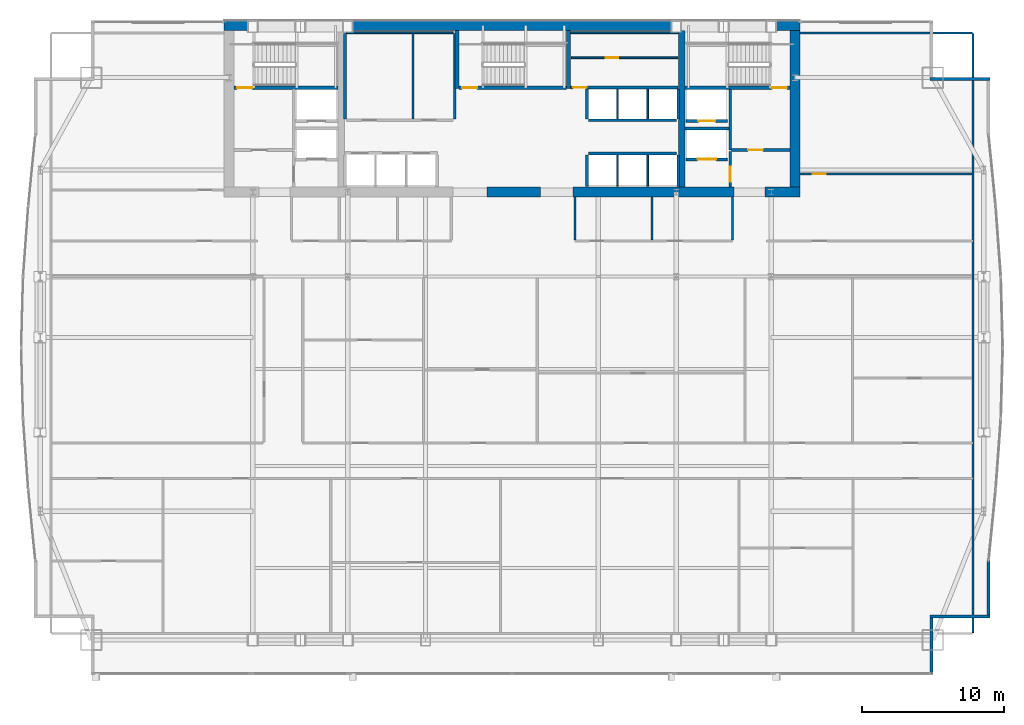
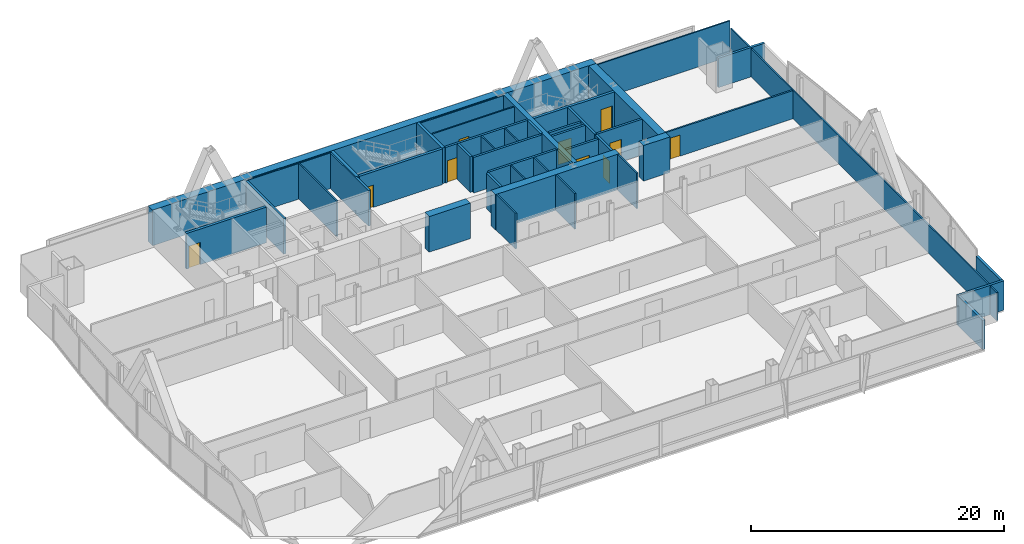
# One storey, part 28 of 31: 44 walls, 10 doors, 10 openings.
"""IFC4 building model written with IfcOpenShell, lengths in metres."""

from ifc_helpers import new_model, si_unit, direction, frame, frame_2d, origin, place, context, subcontext, project, spatial, rectangle, extrude, material, layer, layer_set, type_object, element, fill, save


model = new_model("IFC4")

# Units and contexts
model_context = context("Model", 3, precision=1e-05, world=origin(), true_north=direction((0.0, 1.0)))
body_context = subcontext(model_context, "Body", "Model", "MODEL_VIEW")
ifc_project = project(units=[si_unit("LENGTHUNIT", "METRE"), si_unit("AREAUNIT", "SQUARE_METRE"), si_unit("VOLUMEUNIT", "CUBIC_METRE"), si_unit("PLANEANGLEUNIT", "RADIAN"), si_unit("MASSUNIT", "GRAM", prefix="KILO")], contexts=[model_context])

# Site, building, storey
site_placement = place(None, origin())
site = spatial("IfcSite", under=ifc_project, at=site_placement, CompositionType="ELEMENT")
building_placement = place(site_placement, origin())
building = spatial("IfcBuilding", under=site, at=building_placement, Name="Khoronbel Lancet Exchange", CompositionType="ELEMENT")
storey_placement = place(building_placement, frame((0.0, 0.0, 129.0)))
storey = spatial("IfcBuildingStorey", under=building, at=storey_placement, Name="L31", CompositionType="ELEMENT", Elevation=129.0)

# Walls
ifc_material_1 = material(Name="Concrete C80/95", Category="concrete")
ifc_layer_1 = layer(ifc_material_1, 0.699951171875, Name="Concrete C80/95")
ifc_layer_set_1 = layer_set([ifc_layer_1], Name="Concrete C80/95")
wall_type_1 = type_object("IfcWallType", Name="WL-CW2", PredefinedType="SHEAR", material=ifc_layer_set_1)
wall_1_placement = place(storey_placement, frame((16.199951171875, 53.35009765625, 0.0), z_axis=(0.0, 0.0, 1.0), x_axis=(1.0, 0.0, 0.0)))
element("IfcWall", 1, at=wall_1_placement, inside=storey, type_object=wall_type_1, Name="Level L31 rear core north shear wall", PredefinedType="SHEAR", context=body_context, shape_type="SweptSolid", body=[
    extrude(rectangle(XDim=40.5, YDim=0.699951171875, at=frame_2d((20.25, 0.0))), origin(), (0.0, 0.0, 1.0), 3.43994140625),
])
wall_2_placement = place(storey_placement, frame((56.35009765625, 53.0, 0.0), z_axis=(0.0, 0.0, 1.0), x_axis=(0.0, -1.0, 0.0)))
element("IfcWall", 2, at=wall_2_placement, inside=storey, type_object=wall_type_1, Name="Level L31 rear core east shear wall", PredefinedType="SHEAR", context=body_context, shape_type="SweptSolid", body=[
    extrude(rectangle(XDim=11.0, YDim=0.699951171875, at=frame_2d((5.5, 0.0))), origin(), (0.0, 0.0, 1.0), 3.43994140625),
])
wall_3_placement = place(storey_placement, frame((38.449951171875, 41.64990234375, 0.0), z_axis=(0.0, 0.0, 1.0), x_axis=(-1.0, 0.0, 0.0)))
element("IfcWall", 3, at=wall_3_placement, inside=storey, type_object=wall_type_1, Name="Level L31 rear core south shear wall pier P3", PredefinedType="SHEAR", context=body_context, shape_type="SweptSolid", body=[
    extrude(rectangle(XDim=3.75, YDim=0.699951171875, at=frame_2d((1.875, 0.0))), origin(), (0.0, 0.0, 1.0), 3.43994140625),
])
wall_4_placement = place(storey_placement, frame((52.050048828125, 41.64990234375, 0.0), z_axis=(0.0, 0.0, 1.0), x_axis=(-1.0, 0.0, 0.0)))
element("IfcWall", 4, at=wall_4_placement, inside=storey, type_object=wall_type_1, Name="Level L31 rear core south shear wall pier P4", PredefinedType="SHEAR", context=body_context, shape_type="SweptSolid", body=[
    extrude(rectangle(XDim=11.300048828125, YDim=0.699951171875, at=frame_2d((5.64990234375, 0.0))), origin(), (0.0, 0.0, 1.0), 3.43994140625),
])
wall_5_placement = place(storey_placement, frame((56.699951171875, 41.64990234375, 0.0), z_axis=(0.0, 0.0, 1.0), x_axis=(-1.0, 0.0, 0.0)))
element("IfcWall", 5, at=wall_5_placement, inside=storey, type_object=wall_type_1, Name="Level L31 rear core south shear wall pier P5", PredefinedType="SHEAR", context=body_context, shape_type="SweptSolid", body=[
    extrude(rectangle(XDim=2.449951171875, YDim=0.699951171875, at=frame_2d((1.22509765625, 0.0))), origin(), (0.0, 0.0, 1.0), 3.43994140625),
])
ifc_material_2 = material(Name="Precast concrete C40/50", Category="concrete")
ifc_layer_2 = layer(ifc_material_2, 0.25, Name="Precast concrete C40/50")
ifc_layer_set_2 = layer_set([ifc_layer_2], Name="Precast concrete C40/50")
wall_type_2 = type_object("IfcWallType", Name="WL-EXT250", PredefinedType="SOLIDWALL", material=ifc_layer_set_2)
wall_6_placement = place(storey_placement, frame((65.85009765625, 49.610107421875, 0.0), z_axis=(0.0, 0.0, 1.0), x_axis=(1.0, 0.0, 0.0)))
element("IfcWall", 6, at=wall_6_placement, inside=storey, type_object=wall_type_2, Name="Level L31 notched-corner limestone pier 15", PredefinedType="SOLIDWALL", context=body_context, shape_type="SweptSolid", body=[
    extrude(rectangle(XDim=4.219970703125, YDim=0.219970703125, at=frame_2d((2.10986328125, 0.0))), origin(), (0.0, 0.0, 1.0), 2.830078125),
])
wall_7_placement = place(storey_placement, frame((69.9599609375, 15.724609375, 0.0), z_axis=(0.0, 0.0, 1.0), x_axis=(0.0, -1.0, 0.0)))
element("IfcWall", 7, at=wall_7_placement, inside=storey, type_object=wall_type_2, Name="Level L31 notched-corner limestone pier 23", PredefinedType="SOLIDWALL", context=body_context, shape_type="SweptSolid", body=[
    extrude(rectangle(XDim=3.82470703125, YDim=0.219970703125, at=frame_2d((1.912353515625, 0.0))), origin(), (0.0, 0.0, 1.0), 2.830078125),
])
wall_8_placement = place(storey_placement, frame((70.070068359375, 11.7900390625, 0.0), z_axis=(0.0, 0.0, 1.0), x_axis=(-1.0, 0.0, 0.0)))
element("IfcWall", 8, at=wall_8_placement, inside=storey, type_object=wall_type_2, Name="Level L31 notched-corner limestone pier 24", PredefinedType="SOLIDWALL", context=body_context, shape_type="SweptSolid", body=[
    extrude(rectangle(XDim=4.219970703125, YDim=0.219970703125, at=frame_2d((2.10986328125, 0.0))), origin(), (0.0, 0.0, 1.0), 2.830078125),
])
wall_9_placement = place(storey_placement, frame((65.9599609375, 11.679931640625, 0.0), z_axis=(0.0, 0.0, 1.0), x_axis=(0.0, -1.0, 0.0)))
element("IfcWall", 9, at=wall_9_placement, inside=storey, type_object=wall_type_2, Name="Level L31 notched-corner limestone pier 25", PredefinedType="SOLIDWALL", context=body_context, shape_type="SweptSolid", body=[
    extrude(rectangle(XDim=3.909912109375, YDim=0.219970703125, at=frame_2d((1.955078125, 0.0))), origin(), (0.0, 0.0, 1.0), 2.830078125),
])
ifc_material_3 = material(Name="Acoustic Metal-Stud & Mineral-Wool Gypsum Partition 120 mm", Category="gypsum")
ifc_layer_3 = layer(ifc_material_3, 0.1201171875, Name="Acoustic Metal-Stud & Mineral-Wool Gypsum Partition 120 mm")
ifc_layer_set_3 = layer_set([ifc_layer_3], Name="Acoustic Metal-Stud & Mineral-Wool Gypsum Partition 120 mm")
wall_type_3 = type_object("IfcWallType", Name="WL-PRT120", PredefinedType="PARTITIONING", material=ifc_layer_set_3)
for number, where, z_axis, x_axis, name in (
    (10, (40.8798828125, 38.280029296875, 0.0), (0.0, 0.0, 1.0), (0.0, 1.0, 0.0), "Level L31 interior partition PW-NP-0"),
    (11, (46.300048828125, 38.280029296875, 0.0), (0.0, 0.0, 1.0), (0.0, 1.0, 0.0), "Level L31 interior partition PW-NP-M"),
    (12, (51.949951171875, 38.280029296875, 0.0), (0.0, 0.0, 1.0), (0.0, 1.0, 0.0), "Level L31 interior partition PW-NP-1"),
):
    element("IfcWall", number, at=place(storey_placement, frame(where, z_axis=z_axis, x_axis=x_axis)), inside=storey, type_object=wall_type_3, Name=name, PredefinedType="PARTITIONING", context=body_context, shape_type="SweptSolid", body=[
        extrude(rectangle(XDim=3.02001953125, YDim=0.14990234375, at=frame_2d((1.510009765625, 0.0))), origin(), (0.0, 0.0, 1.0), 3.43994140625),
    ])

# Wall, opening, door
wall_10_placement = place(storey_placement, frame((56.699951171875, 42.919921875, 0.0), z_axis=(0.0, 0.0, 1.0), x_axis=(1.0, 0.0, 0.0)))
wall_10 = element("IfcWall", 13, at=wall_10_placement, inside=storey, type_object=wall_type_3, Name="Level L31 interior partition PW-NE-H", PredefinedType="PARTITIONING", context=body_context, shape_type="SweptSolid", body=[
    extrude(rectangle(XDim=12.10498046875, YDim=0.14990234375, at=frame_2d((6.052490234375, 0.0))), origin(), (0.0, 0.0, 1.0), 2.72998046875),
])
opening_1_placement = place(wall_10_placement, frame((0.89990234375, 0.0, 0.0)))
opening_1 = element("IfcOpeningElement", 14, at=opening_1_placement, cuts=wall_10, Name="Opening D5", PredefinedType="OPENING", context=body_context, shape_type="SweptSolid", body=[
    extrude(rectangle(XDim=0.89990234375, YDim=2.050048828125, at=frame_2d((0.449951171875, 1.02490234375))), frame((0.0, 0.0849609375, 0.0), z_axis=(0.0, -1.0, 0.0), x_axis=(1.0, 0.0, 0.0)), (0.0, 0.0, 1.0), 0.169921875),
])
ifc_material_4 = material(Name="Acoustic Timber Pantry & Support Door", Category="wood")
door_type_1 = type_object("IfcDoorType", Name="DR-D5", OperationType="NOTDEFINED", PredefinedType="DOOR", material=ifc_material_4)
door_1_placement = place(opening_1_placement, origin())
door_1 = element("IfcDoor", 15, at=door_1_placement, inside=storey, type_object=door_type_1, Name="NE north room door L31-1", OperationType="SINGLE_SWING_LEFT", OverallHeight=2.050048828125, OverallWidth=0.89990234375, PredefinedType="DOOR", context=body_context, shape_type="SweptSolid", body=[
    extrude(rectangle(XDim=0.89990234375, YDim=2.050048828125, at=frame_2d((0.449951171875, 1.02490234375))), frame((0.0, 0.02490234375, 0.0), z_axis=(0.0, -1.0, 0.0), x_axis=(1.0, 0.0, 0.0)), (0.0, 0.0, 1.0), 0.050048828125),
])
fill(opening_1, door_1)

# Walls
wall_11_placement = place(storey_placement, frame((68.8701171875, 10.6650390625, 0.0), z_axis=(0.0, 0.0, 1.0), x_axis=(0.0, 1.0, 0.0)))
element("IfcWall", 16, at=wall_11_placement, inside=storey, type_object=wall_type_3, Name="Level L31 interior partition PW-LIN-E", PredefinedType="PARTITIONING", context=body_context, shape_type="SweptSolid", body=[
    extrude(rectangle(XDim=42.10986328125, YDim=0.1201171875, at=frame_2d((21.054931640625, 0.0))), origin(), (0.0, 0.0, 1.0), 2.72998046875),
])
wall_12_placement = place(storey_placement, frame((56.699951171875, 52.840087890625, 0.0), z_axis=(0.0, 0.0, 1.0), x_axis=(1.0, 0.0, 0.0)))
element("IfcWall", 17, at=wall_12_placement, inside=storey, type_object=wall_type_3, Name="Level L31 interior partition PW-LIN-NE", PredefinedType="PARTITIONING", context=body_context, shape_type="SweptSolid", body=[
    extrude(rectangle(XDim=12.10498046875, YDim=0.1201171875, at=frame_2d((6.052490234375, 0.0))), origin(), (0.0, 0.0, 1.0), 3.43994140625),
])
ifc_material_5 = material(Name="Fire-Rated Metal-Stud & Mineral-Wool Gypsum Partition 120 mm", Category="gypsum")
ifc_layer_4 = layer(ifc_material_5, 0.1201171875, Name="Fire-Rated Metal-Stud & Mineral-Wool Gypsum Partition 120 mm")
ifc_layer_set_4 = layer_set([ifc_layer_4], Name="Fire-Rated Metal-Stud & Mineral-Wool Gypsum Partition 120 mm")
wall_type_4 = type_object("IfcWallType", Name="WL-PRT120F", PredefinedType="PARTITIONING", material=ifc_layer_set_4)
wall_13_placement = place(storey_placement, frame((24.804931640625, 52.860107421875, 0.0), z_axis=(0.0, 0.0, 1.0), x_axis=(1.0, 0.0, 0.0)))
element("IfcWall", 18, at=wall_13_placement, inside=storey, type_object=wall_type_4, Name="Level L31 interior partition CW-PL-RN", PredefinedType="PARTITIONING", context=body_context, shape_type="SweptSolid", body=[
    extrude(rectangle(XDim=7.510009765625, YDim=0.1201171875, at=frame_2d((3.7548828125, 0.0))), origin(), (0.0, 0.0, 1.0), 3.43994140625),
])
wall_14_placement = place(storey_placement, frame((29.486328125, 46.804931640625, 0.0), z_axis=(0.0, 0.0, 1.0), x_axis=(0.0, 1.0, 0.0)))
element("IfcWall", 19, at=wall_14_placement, inside=storey, type_object=wall_type_4, Name="Level L31 interior partition CW-PL-RS2", PredefinedType="PARTITIONING", context=body_context, shape_type="SweptSolid", body=[
    extrude(rectangle(XDim=5.989990234375, YDim=0.1201171875, at=frame_2d((2.9951171875, 0.0))), origin(), (0.0, 0.0, 1.0), 3.43994140625),
])
for number, where, z_axis, x_axis, name in (
    (20, (43.860107421875, 46.804931640625, 0.0), (0.0, 0.0, 1.0), (0.0, 1.0, 0.0), "Level L31 interior partition CW-PH-D1"),
    (21, (46.0, 46.804931640625, 0.0), (0.0, 0.0, 1.0), (0.0, 1.0, 0.0), "Level L31 interior partition CW-PH-D2"),
):
    element("IfcWall", number, at=place(storey_placement, frame(where, z_axis=z_axis, x_axis=x_axis)), inside=storey, type_object=wall_type_4, Name=name, PredefinedType="PARTITIONING", context=body_context, shape_type="SweptSolid", body=[
        extrude(rectangle(XDim=2.090087890625, YDim=0.1201171875, at=frame_2d((1.044921875, 0.0))), origin(), (0.0, 0.0, 1.0), 3.43994140625),
    ])
for number, where, z_axis, x_axis, name in (
    (22, (43.860107421875, 42.050048828125, 0.0), (0.0, 0.0, 1.0), (0.0, 1.0, 0.0), "Level L31 interior partition CW-PX-D1"),
    (23, (46.0, 42.050048828125, 0.0), (0.0, 0.0, 1.0), (0.0, 1.0, 0.0), "Level L31 interior partition CW-PX-D2"),
):
    element("IfcWall", number, at=place(storey_placement, frame(where, z_axis=z_axis, x_axis=x_axis)), inside=storey, type_object=wall_type_4, Name=name, PredefinedType="PARTITIONING", context=body_context, shape_type="SweptSolid", body=[
        extrude(rectangle(XDim=2.195068359375, YDim=0.1201171875, at=frame_2d((1.09765625, 0.0))), origin(), (0.0, 0.0, 1.0), 3.43994140625),
    ])
wall_15_placement = place(storey_placement, frame((40.580078125, 52.860107421875, 0.0), z_axis=(0.0, 0.0, 1.0), x_axis=(1.0, 0.0, 0.0)))
element("IfcWall", 24, at=wall_15_placement, inside=storey, type_object=wall_type_4, Name="Level L31 interior partition CW-SUP-NE-N", PredefinedType="PARTITIONING", context=body_context, shape_type="SweptSolid", body=[
    extrude(rectangle(XDim=7.559814453125, YDim=0.1201171875, at=frame_2d((3.77978515625, 0.0))), origin(), (0.0, 0.0, 1.0), 3.43994140625),
])

# Wall, opening, door
wall_16_placement = place(storey_placement, frame((40.6298828125, 51.090087890625, 0.0), z_axis=(0.0, 0.0, 1.0), x_axis=(1.0, 0.0, 0.0)))
wall_16 = element("IfcWall", 25, at=wall_16_placement, inside=storey, type_object=wall_type_4, Name="Level L31 interior partition CW-SUP-NE-H", PredefinedType="PARTITIONING", context=body_context, shape_type="SweptSolid", body=[
    extrude(rectangle(XDim=7.460205078125, YDim=0.1201171875, at=frame_2d((3.72998046875, 0.0))), origin(), (0.0, 0.0, 1.0), 3.43994140625),
])
opening_2_placement = place(wall_16_placement, frame((2.39990234375, 0.0, 0.0)))
opening_2 = element("IfcOpeningElement", 26, at=opening_2_placement, cuts=wall_16, Name="Opening FD4", PredefinedType="OPENING", context=body_context, shape_type="SweptSolid", body=[
    extrude(rectangle(XDim=0.89990234375, YDim=2.050048828125, at=frame_2d((0.449951171875, 1.02490234375))), frame((0.0, 0.070068359375, 0.0), z_axis=(0.0, -1.0, 0.0), x_axis=(1.0, 0.0, 0.0)), (0.0, 0.0, 1.0), 0.14013671875),
])
ifc_material_6 = material(Name="Fire-Rated Steel Core Support Door Assembly", Category="steel")
door_type_2 = type_object("IfcDoorType", Name="DR-FD4", OperationType="NOTDEFINED", PredefinedType="DOOR", material=ifc_material_6)
door_2_placement = place(opening_2_placement, origin())
door_2 = element("IfcDoor", 27, at=door_2_placement, inside=storey, type_object=door_type_2, Name="Core NE north store door L31-1", OperationType="SINGLE_SWING_RIGHT", OverallHeight=2.050048828125, OverallWidth=0.89990234375, PredefinedType="DOOR", context=body_context, shape_type="SweptSolid", body=[
    extrude(rectangle(XDim=0.89990234375, YDim=2.050048828125, at=frame_2d((0.449951171875, 1.02490234375))), frame((0.0, 0.02490234375, 0.0), z_axis=(0.0, -1.0, 0.0), x_axis=(1.0, 0.0, 0.0)), (0.0, 0.0, 1.0), 0.050048828125),
])
fill(opening_2, door_2)

ifc_material_7 = material(Name="Autoclaved Aerated Concrete Blockwork 200 mm", Category="masonry")
ifc_layer_5 = layer(ifc_material_7, 0.199951171875, Name="Autoclaved Aerated Concrete Blockwork 200 mm")
ifc_layer_set_5 = layer_set([ifc_layer_5], Name="Autoclaved Aerated Concrete Blockwork 200 mm")
wall_type_5 = type_object("IfcWallType", Name="WL-PRT200", PredefinedType="PARTITIONING", material=ifc_layer_set_5)
wall_17_placement = place(storey_placement, frame((51.610107421875, 43.949951171875, 0.0), z_axis=(0.0, 0.0, 1.0), x_axis=(-1.0, 0.0, 0.0)))
wall_17 = element("IfcWall", 28, at=wall_17_placement, inside=storey, type_object=wall_type_5, Name="Level L31 elevator hoistway landing front wall SVLE", PredefinedType="PARTITIONING", context=body_context, shape_type="SweptSolid", body=[
    extrude(rectangle(XDim=2.920166015625, YDim=0.199951171875, at=frame_2d((1.4599609375, 0.0))), origin(), (0.0, 0.0, 1.0), 3.43994140625),
])
opening_3_placement = place(wall_17_placement, frame((0.81005859375, 0.0, 0.0)))
opening_3 = element("IfcOpeningElement", 29, at=opening_3_placement, cuts=wall_17, Name="Opening LD-SVL2", PredefinedType="OPENING", context=body_context, shape_type="SweptSolid", body=[
    extrude(rectangle(XDim=1.300048828125, YDim=2.179931640625, at=frame_2d((0.64990234375, 1.08984375))), frame((0.0, 0.10986328125, 0.0), z_axis=(0.0, -1.0, 0.0), x_axis=(1.0, 0.0, 0.0)), (0.0, 0.0, 1.0), 0.219970703125),
])
ifc_material_8 = material(Name="Heavy-Duty Bi-Parting Goods Lift Landing Door", Category="steel")
door_type_3 = type_object("IfcDoorType", Name="DR-LD-SVL", OperationType="NOTDEFINED", PredefinedType="DOOR", material=ifc_material_8)
door_3_placement = place(opening_3_placement, origin())
door_3 = element("IfcDoor", 30, at=door_3_placement, inside=storey, type_object=door_type_3, Name="Elevator landing sliding door LD-SVL2 L31", OperationType="SLIDING_TO_LEFT", OverallHeight=2.179931640625, OverallWidth=1.300048828125, PredefinedType="DOOR", context=body_context, shape_type="SweptSolid", body=[
    extrude(rectangle(XDim=1.300048828125, YDim=2.179931640625, at=frame_2d((0.64990234375, 1.08984375))), frame((0.0, 0.02490234375, 0.0), z_axis=(0.0, -1.0, 0.0), x_axis=(1.0, 0.0, 0.0)), (0.0, 0.0, 1.0), 0.050048828125),
])
fill(opening_3, door_3)

wall_18_placement = place(storey_placement, frame((51.610107421875, 46.64990234375, 0.0), z_axis=(0.0, 0.0, 1.0), x_axis=(-1.0, 0.0, 0.0)))
wall_18 = element("IfcWall", 31, at=wall_18_placement, inside=storey, type_object=wall_type_5, Name="Level L31 elevator hoistway landing front wall FFLE", PredefinedType="PARTITIONING", context=body_context, shape_type="SweptSolid", body=[
    extrude(rectangle(XDim=2.920166015625, YDim=0.199951171875, at=frame_2d((1.4599609375, 0.0))), origin(), (0.0, 0.0, 1.0), 3.43994140625),
])
opening_4_placement = place(wall_18_placement, frame((0.860107421875, 0.0, 0.0)))
opening_4 = element("IfcOpeningElement", 32, at=opening_4_placement, cuts=wall_18, Name="Opening LD-FFL2", PredefinedType="OPENING", context=body_context, shape_type="SweptSolid", body=[
    extrude(rectangle(XDim=1.199951171875, YDim=2.179931640625, at=frame_2d((0.60009765625, 1.08984375))), frame((0.0, 0.10986328125, 0.0), z_axis=(0.0, -1.0, 0.0), x_axis=(1.0, 0.0, 0.0)), (0.0, 0.0, 1.0), 0.219970703125),
])
ifc_material_9 = material(Name="Fire-Rated Stainless Bi-Parting Firefighting Lift Door", Category="steel")
door_type_4 = type_object("IfcDoorType", Name="DR-LD-FFL", OperationType="NOTDEFINED", PredefinedType="DOOR", material=ifc_material_9)
door_4_placement = place(opening_4_placement, origin())
door_4 = element("IfcDoor", 33, at=door_4_placement, inside=storey, type_object=door_type_4, Name="Elevator landing sliding door LD-FFL2 L31", OperationType="SLIDING_TO_LEFT", OverallHeight=2.179931640625, OverallWidth=1.199951171875, PredefinedType="DOOR", context=body_context, shape_type="SweptSolid", body=[
    extrude(rectangle(XDim=1.199951171875, YDim=2.179931640625, at=frame_2d((0.60009765625, 1.08984375))), frame((0.0, 0.02490234375, 0.0), z_axis=(0.0, -1.0, 0.0), x_axis=(1.0, 0.0, 0.0)), (0.0, 0.0, 1.0), 0.050048828125),
])
fill(opening_4, door_4)

# Wall
wall_19_placement = place(storey_placement, frame((51.800048828125, 44.60009765625, 0.0), z_axis=(0.0, 0.0, 1.0), x_axis=(0.0, 1.0, 0.0)))
element("IfcWall", 34, at=wall_19_placement, inside=storey, type_object=wall_type_5, Name="Level L31 interior partition CW-FFLE-W", PredefinedType="PARTITIONING", context=body_context, shape_type="SweptSolid", body=[
    extrude(rectangle(XDim=4.2998046875, YDim=0.199951171875, at=frame_2d((2.14990234375, 0.0))), origin(), (0.0, 0.0, 1.0), 3.43994140625),
])

# Wall, opening, door
wall_20_placement = place(storey_placement, frame((51.89990234375, 44.60009765625, 0.0), z_axis=(0.0, 0.0, 1.0), x_axis=(1.0, 0.0, 0.0)))
wall_20 = element("IfcWall", 35, at=wall_20_placement, inside=storey, type_object=wall_type_5, Name="Level L31 interior partition CW-FFLE-S", PredefinedType="PARTITIONING", context=body_context, shape_type="SweptSolid", body=[
    extrude(rectangle(XDim=4.10009765625, YDim=0.199951171875, at=frame_2d((2.050048828125, 0.0))), origin(), (0.0, 0.0, 1.0), 3.43994140625),
])
opening_5_placement = place(wall_20_placement, frame((1.14990234375, 0.0, 0.0)))
opening_5 = element("IfcOpeningElement", 36, at=opening_5_placement, cuts=wall_20, Name="Opening FD1", PredefinedType="OPENING", context=body_context, shape_type="SweptSolid", body=[
    extrude(rectangle(XDim=1.050048828125, YDim=2.14990234375, at=frame_2d((0.52490234375, 1.074951171875))), frame((0.0, 0.10986328125, 0.0), z_axis=(0.0, -1.0, 0.0), x_axis=(1.0, 0.0, 0.0)), (0.0, 0.0, 1.0), 0.219970703125),
])
ifc_material_10 = material(Name="Fire-Rated Painted Steel Door Assembly", Category="steel")
door_type_5 = type_object("IfcDoorType", Name="DR-FD1", OperationType="NOTDEFINED", PredefinedType="DOOR", material=ifc_material_10)
door_5_placement = place(opening_5_placement, origin())
door_5 = element("IfcDoor", 37, at=door_5_placement, inside=storey, type_object=door_type_5, Name="East firefighting lobby FD90S door L31-1", OperationType="SINGLE_SWING_LEFT", OverallHeight=2.14990234375, OverallWidth=1.050048828125, PredefinedType="DOOR", context=body_context, shape_type="SweptSolid", body=[
    extrude(rectangle(XDim=1.050048828125, YDim=2.14990234375, at=frame_2d((0.52490234375, 1.074951171875))), frame((0.0, 0.02490234375, 0.0), z_axis=(0.0, -1.0, 0.0), x_axis=(1.0, 0.0, 0.0)), (0.0, 0.0, 1.0), 0.050048828125),
])
fill(opening_5, door_5)

# Wall
wall_21_placement = place(storey_placement, frame((48.6298828125, 46.1201171875, 0.0), z_axis=(0.0, 0.0, 1.0), x_axis=(1.0, 0.0, 0.0)))
element("IfcWall", 38, at=wall_21_placement, inside=storey, type_object=wall_type_5, Name="Level L31 interior partition CW-FFL2-S", PredefinedType="PARTITIONING", context=body_context, shape_type="SweptSolid", body=[
    extrude(rectangle(XDim=3.070068359375, YDim=0.199951171875, at=frame_2d((1.53515625, 0.0))), origin(), (0.0, 0.0, 1.0), 3.43994140625),
])

# Wall, opening, door
wall_22_placement = place(storey_placement, frame((51.800048828125, 42.0, 0.0), z_axis=(0.0, 0.0, 1.0), x_axis=(0.0, 1.0, 0.0)))
wall_22 = element("IfcWall", 39, at=wall_22_placement, inside=storey, type_object=wall_type_5, Name="Level L31 interior partition CW-SVLE-E", PredefinedType="PARTITIONING", context=body_context, shape_type="SweptSolid", body=[
    extrude(rectangle(XDim=2.4951171875, YDim=0.199951171875, at=frame_2d((1.24755859375, 0.0))), origin(), (0.0, 0.0, 1.0), 3.43994140625),
])
opening_6_placement = place(wall_22_placement, frame((0.3798828125, 0.0, 0.0)))
opening_6 = element("IfcOpeningElement", 40, at=opening_6_placement, cuts=wall_22, Name="Opening FD1", PredefinedType="OPENING", context=body_context, shape_type="SweptSolid", body=[
    extrude(rectangle(XDim=1.050048828125, YDim=2.14990234375, at=frame_2d((0.52490234375, 1.074951171875))), frame((0.0, 0.10986328125, 0.0), z_axis=(0.0, -1.0, 0.0), x_axis=(1.0, 0.0, 0.0)), (0.0, 0.0, 1.0), 0.219970703125),
])
door_6_placement = place(opening_6_placement, origin())
door_6 = element("IfcDoor", 41, at=door_6_placement, inside=storey, type_object=door_type_5, Name="East service lift lobby door L31-1", OperationType="SINGLE_SWING_RIGHT", OverallHeight=2.14990234375, OverallWidth=1.050048828125, PredefinedType="DOOR", context=body_context, shape_type="SweptSolid", body=[
    extrude(rectangle(XDim=1.050048828125, YDim=2.14990234375, at=frame_2d((0.52490234375, 1.074951171875))), frame((0.0, 0.02490234375, 0.0), z_axis=(0.0, -1.0, 0.0), x_axis=(1.0, 0.0, 0.0)), (0.0, 0.0, 1.0), 0.050048828125),
])
fill(opening_6, door_6)

# Walls
for number, where, z_axis, x_axis, name in (
    (42, (24.699951171875, 46.804931640625, 0.0), (0.0, 0.0, 1.0), (0.0, 1.0, 0.0), "Level L31 interior partition CW-PL-RW"),
    (43, (32.419921875, 46.804931640625, 0.0), (0.0, 0.0, 1.0), (0.0, 1.0, 0.0), "Level L31 interior partition CW-PL-RE"),
):
    element("IfcWall", number, at=place(storey_placement, frame(where, z_axis=z_axis, x_axis=x_axis)), inside=storey, type_object=wall_type_5, Name=name, PredefinedType="PARTITIONING", context=body_context, shape_type="SweptSolid", body=[
        extrude(rectangle(XDim=5.989990234375, YDim=0.199951171875, at=frame_2d((2.9951171875, 0.0))), origin(), (0.0, 0.0, 1.0), 3.43994140625),
    ])
wall_23_placement = place(storey_placement, frame((41.824951171875, 46.699951171875, 0.0), z_axis=(0.0, 0.0, 1.0), x_axis=(1.0, 0.0, 0.0)))
element("IfcWall", 44, at=wall_23_placement, inside=storey, type_object=wall_type_5, Name="Level L31 interior partition CW-PH-EXP", PredefinedType="PARTITIONING", context=body_context, shape_type="SweptSolid", body=[
    extrude(rectangle(XDim=6.2099609375, YDim=0.199951171875, at=frame_2d((3.10498046875, 0.0))), origin(), (0.0, 0.0, 1.0), 3.43994140625),
])
for number, where, z_axis, x_axis, name in (
    (45, (41.719970703125, 46.804931640625, 0.0), (0.0, 0.0, 1.0), (0.0, 1.0, 0.0), "Level L31 interior partition CW-PH-W"),
    (46, (48.139892578125, 46.804931640625, 0.0), (0.0, 0.0, 1.0), (0.0, 1.0, 0.0), "Level L31 interior partition CW-PH-E"),
):
    element("IfcWall", number, at=place(storey_placement, frame(where, z_axis=z_axis, x_axis=x_axis)), inside=storey, type_object=wall_type_5, Name=name, PredefinedType="PARTITIONING", context=body_context, shape_type="SweptSolid", body=[
        extrude(rectangle(XDim=2.090087890625, YDim=0.199951171875, at=frame_2d((1.044921875, 0.0))), origin(), (0.0, 0.0, 1.0), 3.43994140625),
    ])
wall_24_placement = place(storey_placement, frame((41.824951171875, 44.35009765625, 0.0), z_axis=(0.0, 0.0, 1.0), x_axis=(1.0, 0.0, 0.0)))
element("IfcWall", 47, at=wall_24_placement, inside=storey, type_object=wall_type_5, Name="Level L31 interior partition CW-PX-EXP", PredefinedType="PARTITIONING", context=body_context, shape_type="SweptSolid", body=[
    extrude(rectangle(XDim=6.2099609375, YDim=0.199951171875, at=frame_2d((3.10498046875, 0.0))), origin(), (0.0, 0.0, 1.0), 3.43994140625),
])
for number, where, z_axis, x_axis, name in (
    (48, (41.719970703125, 42.050048828125, 0.0), (0.0, 0.0, 1.0), (0.0, 1.0, 0.0), "Level L31 interior partition CW-PX-W"),
    (49, (48.139892578125, 42.050048828125, 0.0), (0.0, 0.0, 1.0), (0.0, 1.0, 0.0), "Level L31 interior partition CW-PX-E"),
):
    element("IfcWall", number, at=place(storey_placement, frame(where, z_axis=z_axis, x_axis=x_axis)), inside=storey, type_object=wall_type_5, Name=name, PredefinedType="PARTITIONING", context=body_context, shape_type="SweptSolid", body=[
        extrude(rectangle(XDim=2.195068359375, YDim=0.199951171875, at=frame_2d((1.09765625, 0.0))), origin(), (0.0, 0.0, 1.0), 3.43994140625),
    ])

# Wall, opening, door
wall_25_placement = place(storey_placement, frame((40.580078125, 49.0, 0.0), z_axis=(0.0, 0.0, 1.0), x_axis=(1.0, 0.0, 0.0)))
wall_25 = element("IfcWall", 50, at=wall_25_placement, inside=storey, type_object=wall_type_5, Name="Level L31 interior partition CW-SUP-NE-S", PredefinedType="PARTITIONING", context=body_context, shape_type="SweptSolid", body=[
    extrude(rectangle(XDim=7.559814453125, YDim=0.199951171875, at=frame_2d((3.77978515625, 0.0))), origin(), (0.0, 0.0, 1.0), 3.43994140625),
])
opening_7_placement = place(wall_25_placement, frame((0.159912109375, 0.0, 0.0)))
opening_7 = element("IfcOpeningElement", 51, at=opening_7_placement, cuts=wall_25, Name="Opening FD3", PredefinedType="OPENING", context=body_context, shape_type="SweptSolid", body=[
    extrude(rectangle(XDim=0.949951171875, YDim=2.10009765625, at=frame_2d((0.47509765625, 1.050048828125))), frame((0.0, 0.10986328125, 0.0), z_axis=(0.0, -1.0, 0.0), x_axis=(1.0, 0.0, 0.0)), (0.0, 0.0, 1.0), 0.219970703125),
])
ifc_material_11 = material(Name="Fire-Rated Steel Plant & Riser Door Assembly", Category="steel")
door_type_6 = type_object("IfcDoorType", Name="DR-FD3", OperationType="NOTDEFINED", PredefinedType="DOOR", material=ifc_material_11)
door_7_placement = place(opening_7_placement, origin())
door_7 = element("IfcDoor", 52, at=door_7_placement, inside=storey, type_object=door_type_6, Name="Core NE support room door L31-1", OperationType="SINGLE_SWING_LEFT", OverallHeight=2.10009765625, OverallWidth=0.949951171875, PredefinedType="DOOR", context=body_context, shape_type="SweptSolid", body=[
    extrude(rectangle(XDim=0.949951171875, YDim=2.10009765625, at=frame_2d((0.47509765625, 1.050048828125))), frame((0.0, 0.02490234375, 0.0), z_axis=(0.0, -1.0, 0.0), x_axis=(1.0, 0.0, 0.0)), (0.0, 0.0, 1.0), 0.050048828125),
])
fill(opening_7, door_7)

# Walls
ifc_layer_6 = layer(ifc_material_1, 0.449951171875, Name="Concrete C80/95")
ifc_layer_set_6 = layer_set([ifc_layer_6], Name="Concrete C80/95")
wall_type_6 = type_object("IfcWallType", Name="WL-SW1", PredefinedType="SHEAR", material=ifc_layer_set_6)
wall_26_placement = place(storey_placement, frame((48.39990234375, 42.0, 0.0), z_axis=(0.0, 0.0, 1.0), x_axis=(0.0, 1.0, 0.0)))
element("IfcWall", 53, at=wall_26_placement, inside=storey, type_object=wall_type_6, Name="Level L31 rear core internal spine shear wall IE", PredefinedType="SHEAR", context=body_context, shape_type="SweptSolid", body=[
    extrude(rectangle(XDim=11.0, YDim=0.449951171875, at=frame_2d((5.5, 0.0))), origin(), (0.0, 0.0, 1.0), 3.43994140625),
])
ifc_material_12 = material(Name="Concrete C60/75", Category="concrete")
ifc_layer_7 = layer(ifc_material_12, 0.260009765625, Name="Concrete C60/75")
ifc_layer_set_7 = layer_set([ifc_layer_7], Name="Concrete C60/75")
wall_type_7 = type_object("IfcWallType", Name="WL-SW3", PredefinedType="SHEAR", material=ifc_layer_set_7)
for number, where, z_axis, x_axis, name in (
    (54, (32.580078125, 48.949951171875, 0.0), (0.0, 0.0, 1.0), (0.0, 1.0, 0.0), "Level L31 central stairwell structural shear wall ST3W"),
    (55, (40.419921875, 48.949951171875, 0.0), (0.0, 0.0, 1.0), (0.0, 1.0, 0.0), "Level L31 central stairwell structural shear wall ST3E"),
):
    element("IfcWall", number, at=place(storey_placement, frame(where, z_axis=z_axis, x_axis=x_axis)), inside=storey, type_object=wall_type_7, Name=name, PredefinedType="SHEAR", context=body_context, shape_type="SweptSolid", body=[
        extrude(rectangle(XDim=4.050048828125, YDim=0.260009765625, at=frame_2d((2.02490234375, 0.0))), origin(), (0.0, 0.0, 1.0), 3.43994140625),
    ])

# Wall, opening, door
wall_27_placement = place(storey_placement, frame((16.89990234375, 48.97998046875, 0.0), z_axis=(0.0, 0.0, 1.0), x_axis=(1.0, 0.0, 0.0)))
wall_27 = element("IfcWall", 56, at=wall_27_placement, inside=storey, type_object=wall_type_7, Name="Level L31 west stairwell structural south wall", PredefinedType="SHEAR", context=body_context, shape_type="SweptSolid", body=[
    extrude(rectangle(XDim=7.320068359375, YDim=0.239990234375, at=frame_2d((3.66015625, 0.0))), origin(), (0.0, 0.0, 1.0), 3.43994140625),
])
opening_8_placement = place(wall_27_placement, frame((0.219970703125, 0.0, 0.0)))
opening_8 = element("IfcOpeningElement", 57, at=opening_8_placement, cuts=wall_27, Name="Opening SD1", PredefinedType="OPENING", context=body_context, shape_type="SweptSolid", body=[
    extrude(rectangle(XDim=1.050048828125, YDim=2.14990234375, at=frame_2d((0.52490234375, 1.074951171875))), frame((0.0, 0.1298828125, 0.0), z_axis=(0.0, -1.0, 0.0), x_axis=(1.0, 0.0, 0.0)), (0.0, 0.0, 1.0), 0.260009765625),
])
ifc_material_13 = material(Name="Fire-Rated Steel Stairwell Door Assembly", Category="steel")
door_type_7 = type_object("IfcDoorType", Name="DR-SD1", OperationType="NOTDEFINED", PredefinedType="DOOR", material=ifc_material_13)
door_8_placement = place(opening_8_placement, origin())
door_8 = element("IfcDoor", 58, at=door_8_placement, inside=storey, type_object=door_type_7, Name="Protected exit stair ST1 door L31", OperationType="SINGLE_SWING_LEFT", OverallHeight=2.14990234375, OverallWidth=1.050048828125, PredefinedType="DOOR", context=body_context, shape_type="SweptSolid", body=[
    extrude(rectangle(XDim=1.050048828125, YDim=2.14990234375, at=frame_2d((0.52490234375, 1.074951171875))), frame((0.0, 0.02490234375, 0.0), z_axis=(0.0, -1.0, 0.0), x_axis=(1.0, 0.0, 0.0)), (0.0, 0.0, 1.0), 0.050048828125),
])
fill(opening_8, door_8)

wall_28_placement = place(storey_placement, frame((48.6298828125, 48.97998046875, 0.0), z_axis=(0.0, 0.0, 1.0), x_axis=(1.0, 0.0, 0.0)))
wall_28 = element("IfcWall", 59, at=wall_28_placement, inside=storey, type_object=wall_type_7, Name="Level L31 east stairwell structural south wall", PredefinedType="SHEAR", context=body_context, shape_type="SweptSolid", body=[
    extrude(rectangle(XDim=7.3701171875, YDim=0.239990234375, at=frame_2d((3.68505859375, 0.0))), origin(), (0.0, 0.0, 1.0), 3.43994140625),
])
opening_9_placement = place(wall_28_placement, frame((6.10009765625, 0.0, 0.0)))
opening_9 = element("IfcOpeningElement", 60, at=opening_9_placement, cuts=wall_28, Name="Opening SD1", PredefinedType="OPENING", context=body_context, shape_type="SweptSolid", body=[
    extrude(rectangle(XDim=1.050048828125, YDim=2.14990234375, at=frame_2d((0.52490234375, 1.074951171875))), frame((0.0, 0.1298828125, 0.0), z_axis=(0.0, -1.0, 0.0), x_axis=(1.0, 0.0, 0.0)), (0.0, 0.0, 1.0), 0.260009765625),
])
door_9_placement = place(opening_9_placement, origin())
door_9 = element("IfcDoor", 61, at=door_9_placement, inside=storey, type_object=door_type_7, Name="Protected exit stair ST2 door L31", OperationType="SINGLE_SWING_RIGHT", OverallHeight=2.14990234375, OverallWidth=1.050048828125, PredefinedType="DOOR", context=body_context, shape_type="SweptSolid", body=[
    extrude(rectangle(XDim=1.050048828125, YDim=2.14990234375, at=frame_2d((0.52490234375, 1.074951171875))), frame((0.0, 0.02490234375, 0.0), z_axis=(0.0, -1.0, 0.0), x_axis=(1.0, 0.0, 0.0)), (0.0, 0.0, 1.0), 0.050048828125),
])
fill(opening_9, door_9)

wall_29_placement = place(storey_placement, frame((32.719970703125, 48.97998046875, 0.0), z_axis=(0.0, 0.0, 1.0), x_axis=(1.0, 0.0, 0.0)))
wall_29 = element("IfcWall", 62, at=wall_29_placement, inside=storey, type_object=wall_type_7, Name="Level L31 central stairwell structural south wall", PredefinedType="SHEAR", context=body_context, shape_type="SweptSolid", body=[
    extrude(rectangle(XDim=7.56005859375, YDim=0.239990234375, at=frame_2d((3.780029296875, 0.0))), origin(), (0.0, 0.0, 1.0), 3.43994140625),
])
opening_10_placement = place(wall_29_placement, frame((0.219970703125, 0.0, 0.0)))
opening_10 = element("IfcOpeningElement", 63, at=opening_10_placement, cuts=wall_29, Name="Opening SD1", PredefinedType="OPENING", context=body_context, shape_type="SweptSolid", body=[
    extrude(rectangle(XDim=1.050048828125, YDim=2.14990234375, at=frame_2d((0.52490234375, 1.074951171875))), frame((0.0, 0.1298828125, 0.0), z_axis=(0.0, -1.0, 0.0), x_axis=(1.0, 0.0, 0.0)), (0.0, 0.0, 1.0), 0.260009765625),
])
door_10_placement = place(opening_10_placement, origin())
door_10 = element("IfcDoor", 64, at=door_10_placement, inside=storey, type_object=door_type_7, Name="Protected exit stair ST3 door L31", OperationType="SINGLE_SWING_LEFT", OverallHeight=2.14990234375, OverallWidth=1.050048828125, PredefinedType="DOOR", context=body_context, shape_type="SweptSolid", body=[
    extrude(rectangle(XDim=1.050048828125, YDim=2.14990234375, at=frame_2d((0.52490234375, 1.074951171875))), frame((0.0, 0.02490234375, 0.0), z_axis=(0.0, -1.0, 0.0), x_axis=(1.0, 0.0, 0.0)), (0.0, 0.0, 1.0), 0.050048828125),
])
fill(opening_10, door_10)

save(model, "model.ifc")
